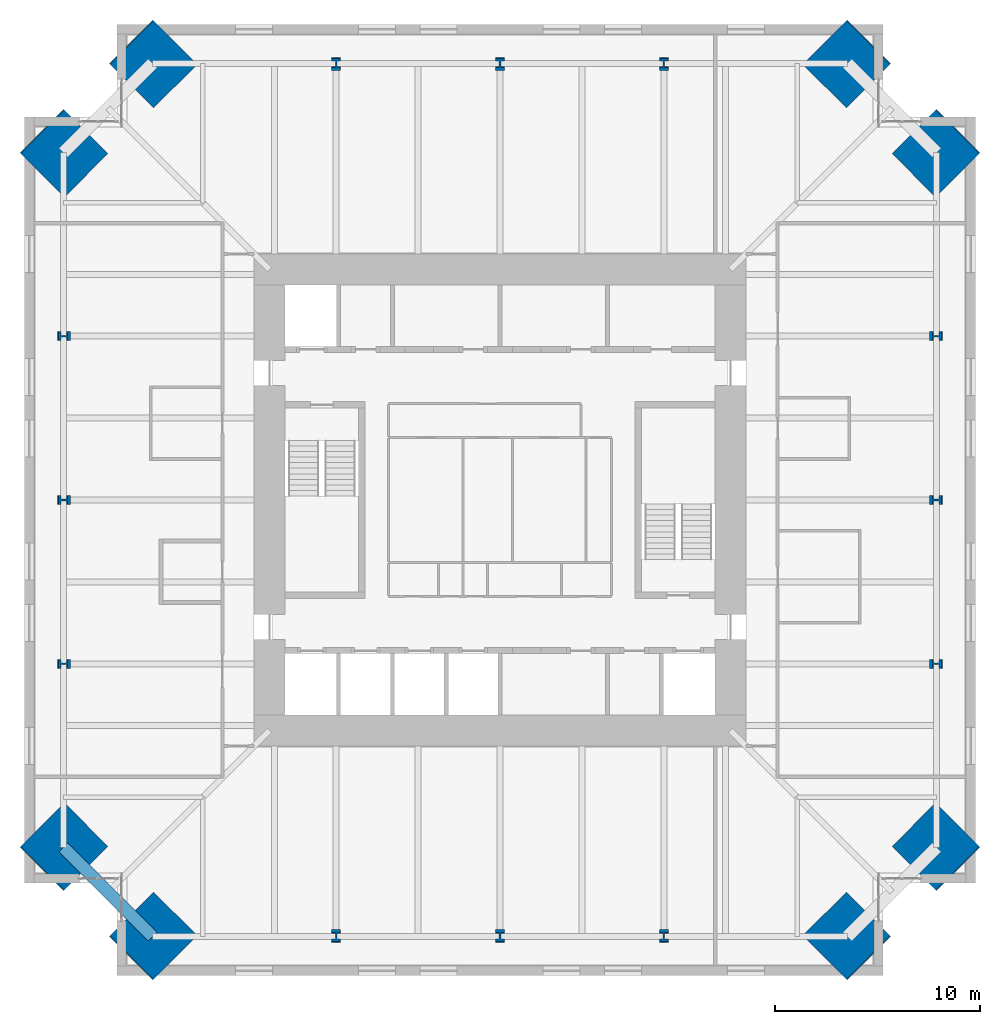
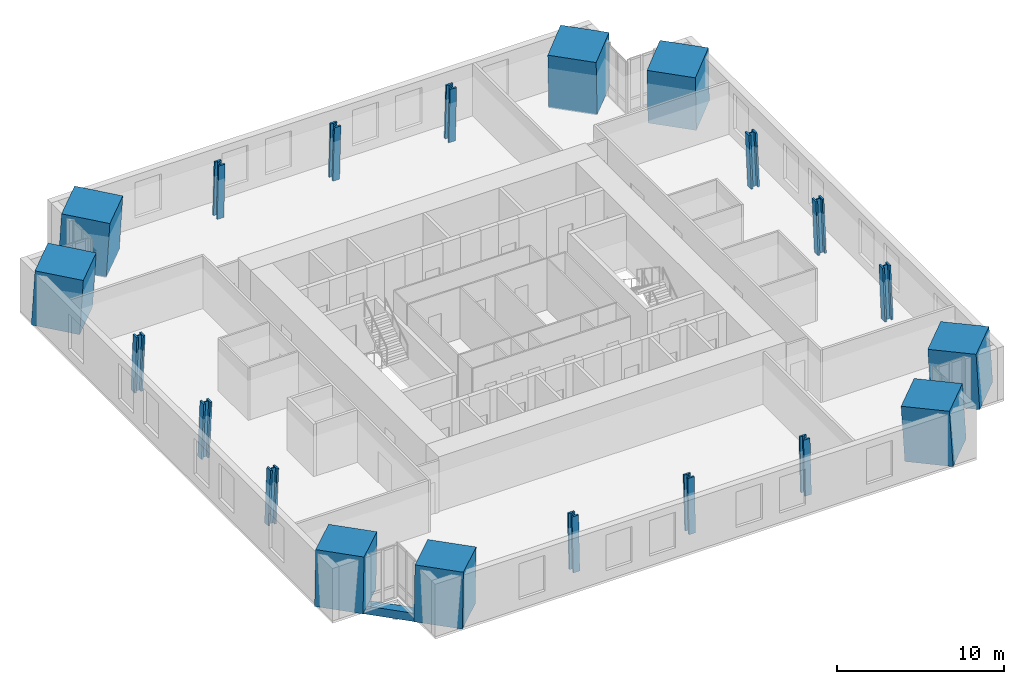
# One storey, part 1 of 15: 20 columns, 1 beam.
"""IFC4 building model written with IfcOpenShell, lengths in metres."""

from ifc_helpers import new_model, si_unit, direction, frame, origin, origin_2d, place, context, subcontext, project, spatial, rectangle, hollow_rectangle, i_section, extrude, material, material_profile, profile_set, type_object, element, save


model = new_model("IFC4")

# Units and contexts
model_context = context("Model", 3, precision=1e-05, world=origin(), true_north=direction((0.0, 1.0)))
body_context = subcontext(model_context, "Body", "Model", "MODEL_VIEW")
ifc_project = project(units=[si_unit("LENGTHUNIT", "METRE"), si_unit("AREAUNIT", "SQUARE_METRE"), si_unit("VOLUMEUNIT", "CUBIC_METRE"), si_unit("PLANEANGLEUNIT", "RADIAN"), si_unit("MASSUNIT", "GRAM", prefix="KILO")], contexts=[model_context])

# Site, building, storey
site_placement = place(None, origin())
site = spatial("IfcSite", under=ifc_project, at=site_placement, CompositionType="ELEMENT")
building_placement = place(site_placement, origin())
building = spatial("IfcBuilding", under=site, at=building_placement, Name="Peilmerk Tower", CompositionType="ELEMENT")
storey_placement = place(building_placement, frame((0.0, 0.0, 237.800048828125)))
storey = spatial("IfcBuildingStorey", under=building, at=storey_placement, Name="L52", CompositionType="ELEMENT", Elevation=237.800048828125)

# Columns
ifc_material_1 = material(Name="Concrete C90/105", Category="concrete")
ifc_material_profile_1 = material_profile(ifc_material_1, rectangle(XDim=3.0, YDim=3.0, at=origin_2d()), Name="RC 3000x3000")
ifc_profile_set_1 = profile_set([ifc_material_profile_1], Name="Concrete C90/105")
column_type_1 = type_object("IfcColumnType", Name="MC3 3000x3000 encased mega column", PredefinedType="COLUMN", material=ifc_profile_set_1)
for number, where, z_axis, x_axis, name in (
    (1, (16.9580078125, 21.30810546875, 0.0), (-0.040217894151, -0.040278830354, 0.998378754189), (0.707641859868, -0.706571297296, 0.0), "Mega column MC3 NE_N L52"),
    (2, (21.30810546875, 16.9580078125, 0.0), (-0.040278830354, -0.040217894151, 0.998378754189), (0.706571297296, -0.707641859868, 0.0), "Mega column MC3 NE_E L52"),
    (3, (21.30810546875, -16.9580078125, 0.0), (-0.040278830354, 0.040217894151, 0.998378754189), (-0.706571297296, -0.707641859868, 0.0), "Mega column MC3 SE_E L52"),
    (4, (16.9580078125, -21.30810546875, 0.0), (-0.040217894151, 0.040278830354, 0.998378754189), (-0.707641859868, -0.706571297296, 0.0), "Mega column MC3 SE_S L52"),
    (5, (-16.9580078125, -21.30810546875, 0.0), (0.040217894151, 0.040278830354, 0.998378754189), (-0.707641859868, 0.706571297296, 0.0), "Mega column MC3 SW_S L52"),
    (6, (-21.30810546875, -16.9580078125, 0.0), (0.040278830354, 0.040217894151, 0.998378754189), (-0.706571297296, 0.707641859868, 0.0), "Mega column MC3 SW_W L52"),
    (7, (-21.30810546875, 16.9580078125, 0.0), (0.040278830354, -0.040217894151, 0.998378754189), (0.706571297296, 0.707641859868, 0.0), "Mega column MC3 NW_W L52"),
    (8, (-16.9580078125, 21.30810546875, 0.0), (0.040217894151, -0.040278830354, 0.998378754189), (0.707641859868, 0.706571297296, 0.0), "Mega column MC3 NW_N L52"),
):
    element("IfcColumn", number, at=place(storey_placement, frame(where, z_axis=z_axis, x_axis=x_axis)), inside=storey, type_object=column_type_1, Name=name, PredefinedType="COLUMN", context=body_context, shape_type="SweptSolid", body=[
        extrude(rectangle(XDim=3.0, YDim=3.0, at=origin_2d()), origin(), (0.0, 0.0, 1.0), 4.006591796875),
    ])
ifc_material_2 = material(Name="Steel S460", Category="steel")
ifc_material_profile_2 = material_profile(ifc_material_2, i_section(OverallWidth=0.4541015625, OverallDepth=0.569091796875, WebThickness=0.077880859375, FlangeThickness=0.125, at=origin_2d()), Name="HD 400x1086")
ifc_profile_set_2 = profile_set([ifc_material_profile_2], Name="Steel S460")
column_type_2 = type_object("IfcColumnType", Name="SC6 HD 400x1086 interior column", PredefinedType="COLUMN", material=ifc_profile_set_2)
for number, where, z_axis, x_axis, name in (
    (9, (0.0, 21.30810546875, 0.0), (0.0, -0.040311445006, 0.999187163349), (1.0, 0.0, 0.0), "Perimeter column N+0 L52"),
    (10, (8.0, 21.30810546875, 0.0), (0.0, -0.040311445006, 0.999187163349), (1.0, 0.0, 0.0), "Perimeter column N-8 L52"),
    (11, (-8.0, 21.30810546875, 0.0), (0.0, -0.040311445006, 0.999187163349), (1.0, 0.0, 0.0), "Perimeter column N+8 L52"),
    (12, (21.30810546875, 0.0, 0.0), (-0.040311445006, 0.0, 0.999187163349), (0.0, -1.0, 0.0), "Perimeter column E+0 L52"),
    (13, (21.30810546875, -8.0, 0.0), (-0.040311445006, 0.0, 0.999187163349), (0.0, -1.0, 0.0), "Perimeter column E-8 L52"),
    (14, (21.30810546875, 8.0, 0.0), (-0.040311445006, 0.0, 0.999187163349), (0.0, -1.0, 0.0), "Perimeter column E+8 L52"),
    (15, (0.0, -21.30810546875, 0.0), (0.0, 0.040311445006, 0.999187163349), (-1.0, 0.0, 0.0), "Perimeter column S+0 L52"),
    (16, (-8.0, -21.30810546875, 0.0), (0.0, 0.040311445006, 0.999187163349), (-1.0, 0.0, 0.0), "Perimeter column S-8 L52"),
    (17, (8.0, -21.30810546875, 0.0), (0.0, 0.040311445006, 0.999187163349), (-1.0, 0.0, 0.0), "Perimeter column S+8 L52"),
    (18, (-21.30810546875, 0.0, 0.0), (0.040311445006, 0.0, 0.999187163349), (0.0, 1.0, 0.0), "Perimeter column W+0 L52"),
    (19, (-21.30810546875, 8.0, 0.0), (0.040311445006, 0.0, 0.999187163349), (0.0, 1.0, 0.0), "Perimeter column W-8 L52"),
    (20, (-21.30810546875, -8.0, 0.0), (0.040311445006, 0.0, 0.999187163349), (0.0, 1.0, 0.0), "Perimeter column W+8 L52"),
):
    element("IfcColumn", number, at=place(storey_placement, frame(where, z_axis=z_axis, x_axis=x_axis)), inside=storey, type_object=column_type_2, Name=name, PredefinedType="COLUMN", context=body_context, shape_type="SweptSolid", body=[
        extrude(i_section(OverallWidth=0.4541015625, OverallDepth=0.569091796875, WebThickness=0.077880859375, FlangeThickness=0.125, at=origin_2d()), origin(), (0.0, 0.0, 1.0), 4.003173828125),
    ])

# Beam
ifc_material_profile_3 = material_profile(ifc_material_2, hollow_rectangle(XDim=0.60009765625, YDim=0.60009765625, WallThickness=0.06005859375, at=origin_2d()), Name="BOX 600x600x60")
ifc_profile_set_3 = profile_set([ifc_material_profile_3], Name="Steel S460")
beam_type = type_object("IfcBeamType", Name="B20 BOX 600x600x60 notch beam", PredefinedType="SPANDREL", material=ifc_profile_set_3)
beam_placement = place(storey_placement, frame((-16.9580078125, -21.30810546875, -0.469970703125), z_axis=(-0.707106781187, 0.707106781187, 0.0), x_axis=(-0.707106781187, -0.707106781187, 0.0)))
element("IfcBeam", 21, at=beam_placement, inside=storey, type_object=beam_type, Name="Notch beam L52", PredefinedType="SPANDREL", context=body_context, shape_type="SweptSolid", body=[
    extrude(hollow_rectangle(XDim=0.60009765625, YDim=0.60009765625, WallThickness=0.06005859375, at=origin_2d()), origin(), (0.0, 0.0, 1.0), 6.15185546875),
])

save(model, "model.ifc")
